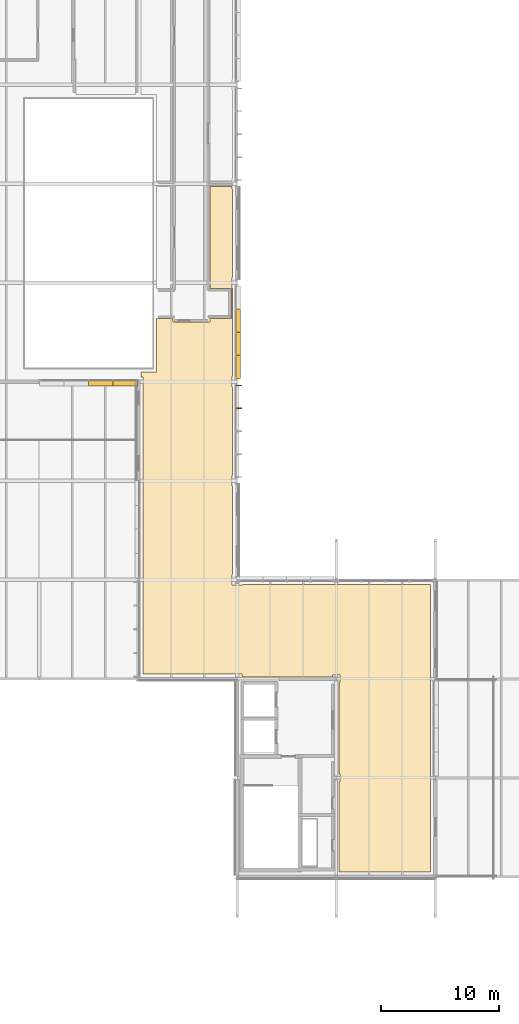
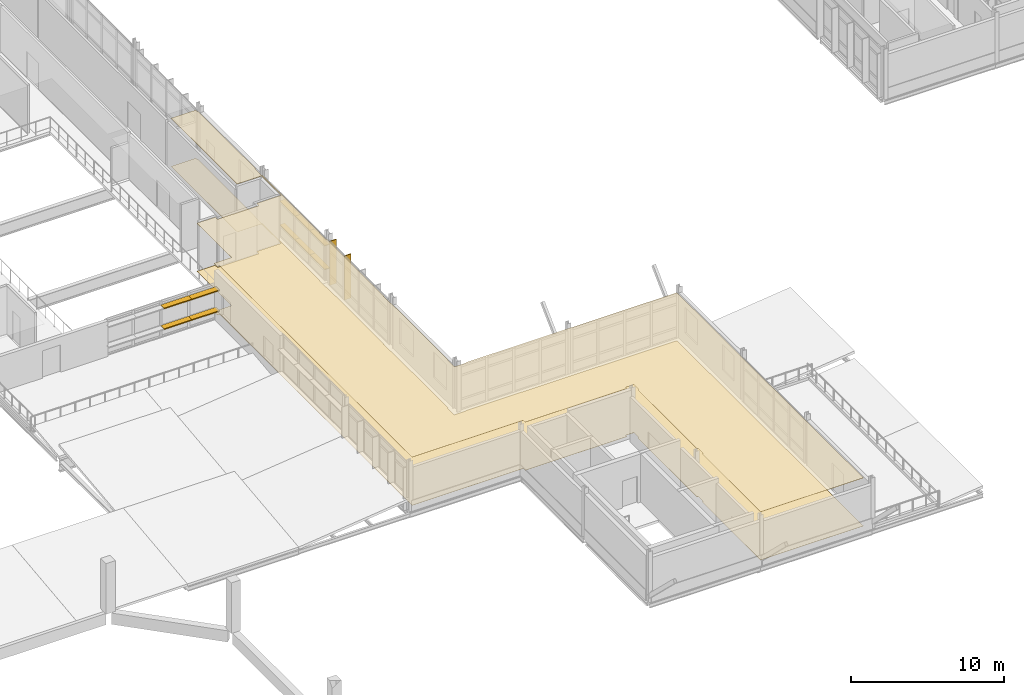
# One storey, part 118 of 131: 12 shading devices, 2 coverings.
"""IFC4 building model written with IfcOpenShell, lengths in metres."""

from ifc_helpers import new_model, si_unit, direction, frame, origin, origin_2d, place, context, subcontext, project, spatial, polyline, rectangle, outline, extrude, material, layer, layer_set, type_object, element, save


model = new_model("IFC4")

# Units and contexts
model_context = context("Model", 3, precision=1e-05, world=origin(), true_north=direction((0.0, 1.0)))
body_context = subcontext(model_context, "Body", "Model", "MODEL_VIEW")
ifc_project = project(units=[si_unit("LENGTHUNIT", "METRE"), si_unit("AREAUNIT", "SQUARE_METRE"), si_unit("VOLUMEUNIT", "CUBIC_METRE"), si_unit("PLANEANGLEUNIT", "RADIAN"), si_unit("MASSUNIT", "GRAM", prefix="KILO")], contexts=[model_context])

# Site, building, storey
site_placement = place(None, origin())
site = spatial("IfcSite", under=ifc_project, at=site_placement, CompositionType="ELEMENT")
building_placement = place(site_placement, origin())
building = spatial("IfcBuilding", under=site, at=building_placement, Name="Mersafa Astral City Hall", CompositionType="ELEMENT")
storey_placement = place(building_placement, frame((0.0, 0.0, 13.949951171875)))
storey = spatial("IfcBuildingStorey", under=building, at=storey_placement, Name="L03", CompositionType="ELEMENT", Elevation=13.949951171875)

# Shading devices
ifc_material_1 = material(Name="Anodised bronze aluminium solar fin", Category="aluminium")
shading_device_type_1 = type_object("IfcShadingDeviceType", Name="ENV-SHD-FIN-500A", PredefinedType="USERDEFINED", material=ifc_material_1)
for number, where, z_axis, x_axis, name in (
    (1, (117.7451171875, 48.156494140625, -0.01513671875), (0.0, 0.0, 1.0), (0.0, 1.0, 0.0), "L03 Vertical bronze solar fin 971"),
    (2, (117.7451171875, 50.0830078125, -0.01513671875), (0.0, 0.0, 1.0), (0.0, 1.0, 0.0), "L03 Vertical bronze solar fin 972"),
):
    element("IfcShadingDevice", number, at=place(storey_placement, frame(where, z_axis=z_axis, x_axis=x_axis)), inside=storey, type_object=shading_device_type_1, Name=name, ObjectType="FIN", PredefinedType="USERDEFINED", context=body_context, shape_type="SweptSolid", body=[
        extrude(rectangle(XDim=0.06005859375, YDim=0.5, at=origin_2d()), origin(), (0.0, 0.0, 1.0), 3.511962890625),
    ])
ifc_material_2 = material(Name="Kiln-dried cedar timber brise-soleil blade", Category="wood")
shading_device_type_2 = type_object("IfcShadingDeviceType", Name="ENV-SHD-LOUVRE-380", PredefinedType="JALOUSIE", material=ifc_material_2)
shading_device_1_placement = place(storey_placement, frame((117.679931640625, 51.680419921875, 0.81494140625), z_axis=(0.0, 0.0, 1.0), x_axis=(0.0, 1.0, 0.0)))
element("IfcShadingDevice", 3, at=shading_device_1_placement, inside=storey, type_object=shading_device_type_2, Name="L03 Horizontal cedar brise-soleil louvre 973", PredefinedType="JALOUSIE", context=body_context, shape_type="SweptSolid", body=[
    extrude(rectangle(XDim=1.966552734375, YDim=0.3798828125, at=origin_2d()), origin(), (0.0, 0.0, 1.0), 0.070068359375),
])
for number, where, z_axis, x_axis, name in (
    (4, (117.679931640625, 53.62158203125, 0.81494140625), (0.0, 0.0, 1.0), (0.0, 1.0, 0.0), "L03 Horizontal cedar brise-soleil louvre 974"),
    (5, (117.679931640625, 55.578125, 0.81494140625), (0.0, 0.0, 1.0), (0.0, 1.0, 0.0), "L03 Horizontal cedar brise-soleil louvre 975"),
):
    element("IfcShadingDevice", number, at=place(storey_placement, frame(where, z_axis=z_axis, x_axis=x_axis)), inside=storey, type_object=shading_device_type_2, Name=name, PredefinedType="JALOUSIE", context=body_context, shape_type="SweptSolid", body=[
        extrude(rectangle(XDim=1.99658203125, YDim=0.3798828125, at=origin_2d()), origin(), (0.0, 0.0, 1.0), 0.070068359375),
    ])
shading_device_2_placement = place(storey_placement, frame((117.679931640625, 51.680419921875, 2.71484375), z_axis=(0.0, 0.0, 1.0), x_axis=(0.0, 1.0, 0.0)))
element("IfcShadingDevice", 6, at=shading_device_2_placement, inside=storey, type_object=shading_device_type_2, Name="L03 Horizontal cedar brise-soleil louvre 977", PredefinedType="JALOUSIE", context=body_context, shape_type="SweptSolid", body=[
    extrude(rectangle(XDim=1.966552734375, YDim=0.3798828125, at=origin_2d()), origin(), (0.0, 0.0, 1.0), 0.070068359375),
])
for number, where, z_axis, x_axis, name in (
    (7, (117.679931640625, 53.62158203125, 2.71484375), (0.0, 0.0, 1.0), (0.0, 1.0, 0.0), "L03 Horizontal cedar brise-soleil louvre 978"),
    (8, (117.679931640625, 55.578125, 2.71484375), (0.0, 0.0, 1.0), (0.0, 1.0, 0.0), "L03 Horizontal cedar brise-soleil louvre 979"),
):
    element("IfcShadingDevice", number, at=place(storey_placement, frame(where, z_axis=z_axis, x_axis=x_axis)), inside=storey, type_object=shading_device_type_2, Name=name, PredefinedType="JALOUSIE", context=body_context, shape_type="SweptSolid", body=[
        extrude(rectangle(XDim=1.99658203125, YDim=0.3798828125, at=origin_2d()), origin(), (0.0, 0.0, 1.0), 0.070068359375),
    ])
shading_device_type_3 = type_object("IfcShadingDeviceType", Name="ENV-SHD-LOUVRE-450", PredefinedType="JALOUSIE", material=ifc_material_2)
shading_device_3_placement = place(storey_placement, frame((106.050048828125, 50.284912109375, 0.81005859375), z_axis=(0.0, 0.0, 1.0), x_axis=(1.0, 0.0, 0.0)))
element("IfcShadingDevice", 9, at=shading_device_3_placement, inside=storey, type_object=shading_device_type_3, Name="L03 Horizontal cedar brise-soleil louvre 1196", PredefinedType="JALOUSIE", context=body_context, shape_type="SweptSolid", body=[
    extrude(rectangle(XDim=2.139892578125, YDim=0.449951171875, at=origin_2d()), origin(), (0.0, 0.0, 1.0), 0.080078125),
])
shading_device_4_placement = place(storey_placement, frame((108.135009765625, 50.284912109375, 0.81005859375), z_axis=(0.0, 0.0, 1.0), x_axis=(1.0, 0.0, 0.0)))
element("IfcShadingDevice", 10, at=shading_device_4_placement, inside=storey, type_object=shading_device_type_3, Name="L03 Horizontal cedar brise-soleil louvre 1197", PredefinedType="JALOUSIE", context=body_context, shape_type="SweptSolid", body=[
    extrude(rectangle(XDim=2.110107421875, YDim=0.449951171875, at=origin_2d()), origin(), (0.0, 0.0, 1.0), 0.080078125),
])
shading_device_5_placement = place(storey_placement, frame((106.050048828125, 50.284912109375, 2.45703125), z_axis=(0.0, 0.0, 1.0), x_axis=(1.0, 0.0, 0.0)))
element("IfcShadingDevice", 11, at=shading_device_5_placement, inside=storey, type_object=shading_device_type_3, Name="L03 Horizontal cedar brise-soleil louvre 1200", PredefinedType="JALOUSIE", context=body_context, shape_type="SweptSolid", body=[
    extrude(rectangle(XDim=2.139892578125, YDim=0.449951171875, at=origin_2d()), origin(), (0.0, 0.0, 1.0), 0.080078125),
])
shading_device_6_placement = place(storey_placement, frame((108.135009765625, 50.284912109375, 2.45703125), z_axis=(0.0, 0.0, 1.0), x_axis=(1.0, 0.0, 0.0)))
element("IfcShadingDevice", 12, at=shading_device_6_placement, inside=storey, type_object=shading_device_type_3, Name="L03 Horizontal cedar brise-soleil louvre 1201", PredefinedType="JALOUSIE", context=body_context, shape_type="SweptSolid", body=[
    extrude(rectangle(XDim=2.110107421875, YDim=0.449951171875, at=origin_2d()), origin(), (0.0, 0.0, 1.0), 0.080078125),
])

# Coverings
ifc_material_3 = material(Name="Perforated acoustic gypsum board ceiling", Category="gypsum")
ifc_layer_1 = layer(ifc_material_3, 0.02490234375, Name="Perforated acoustic gypsum board ceiling")
ifc_layer_set_1 = layer_set([ifc_layer_1], Name="Perforated acoustic gypsum board ceiling — INT-COV-CEIL-25")
covering_type_1 = type_object("IfcCoveringType", Name="INT-COV-CEIL-25", PredefinedType="CEILING", material=ifc_layer_set_1)
covering_1_placement = place(storey_placement, frame((0.0, 0.0, 3.8310546875)))
element("IfcCovering", 13, at=covering_1_placement, inside=storey, type_object=covering_type_1, Name="L03 Building Permits Technical Office L03-08 acoustic ceiling", PredefinedType="CEILING", context=body_context, shape_type="SweptSolid", body=[
    extrude(outline(polyline([(117.155029296875, 34.044921875), (117.155029296875, 33.155029296875), (118.044921875, 33.155029296875), (118.044921875, 33.199951171875), (134.0, 33.199951171875), (134.0, 8.800048828125), (126.22998046875, 8.800048828125), (126.22998046875, 16.47998046875), (126.320068359375, 16.47998046875), (126.320068359375, 17.1201171875), (126.22998046875, 17.1201171875), (126.22998046875, 24.8798828125), (126.320068359375, 24.8798828125), (126.320068359375, 25.52001953125), (125.679931640625, 25.52001953125), (125.679931640625, 25.360107421875), (118.0, 25.360107421875), (118.0, 25.60009765625), (109.60009765625, 25.60009765625), (109.60009765625, 50.800048828125), (109.429931640625, 50.800048828125), (109.429931640625, 51.239990234375), (110.760009765625, 51.239990234375), (110.760009765625, 55.760009765625), (112.139892578125, 55.760009765625), (112.139892578125, 55.469970703125), (115.280029296875, 55.469970703125), (115.280029296875, 55.760009765625), (117.1201171875, 55.760009765625), (117.1201171875, 58.320068359375), (115.280029296875, 58.320068359375), (115.280029296875, 66.969970703125), (117.155029296875, 66.969970703125), (117.155029296875, 66.7548828125), (117.199951171875, 66.7548828125), (117.199951171875, 59.2451171875), (117.155029296875, 59.2451171875), (117.155029296875, 58.35498046875), (117.199951171875, 58.35498046875), (117.199951171875, 50.844970703125), (117.155029296875, 50.844970703125), (117.155029296875, 49.955078125), (117.199951171875, 49.955078125), (117.199951171875, 42.445068359375), (117.155029296875, 42.445068359375), (117.155029296875, 41.554931640625), (117.199951171875, 41.554931640625), (117.199951171875, 34.044921875), (117.155029296875, 34.044921875)])), origin(), (0.0, 0.0, 1.0), 0.02490234375),
])
ifc_material_4 = material(Name="Heavy-duty woven acoustic carpet tile", Category="finish")
ifc_layer_2 = layer(ifc_material_4, 0.014892578125, Name="Heavy-duty woven acoustic carpet tile")
ifc_layer_set_2 = layer_set([ifc_layer_2], Name="Heavy-duty woven acoustic carpet tile — INT-COV-FLR-15")
covering_type_2 = type_object("IfcCoveringType", Name="INT-COV-FLR-15", PredefinedType="FLOORING", material=ifc_layer_set_2)
covering_2_placement = place(storey_placement, frame((0.0, 0.0, -0.00146484375)))
element("IfcCovering", 14, at=covering_2_placement, inside=storey, type_object=covering_type_2, Name="L03 Building Permits Technical Office L03-08 architectural flooring", PredefinedType="FLOORING", context=body_context, shape_type="SweptSolid", body=[
    extrude(outline(polyline([(117.155029296875, 34.044921875), (117.155029296875, 33.155029296875), (118.044921875, 33.155029296875), (118.044921875, 33.199951171875), (134.0, 33.199951171875), (134.0, 8.800048828125), (126.22998046875, 8.800048828125), (126.22998046875, 16.47998046875), (126.320068359375, 16.47998046875), (126.320068359375, 17.1201171875), (126.22998046875, 17.1201171875), (126.22998046875, 24.8798828125), (126.320068359375, 24.8798828125), (126.320068359375, 25.52001953125), (125.679931640625, 25.52001953125), (125.679931640625, 25.360107421875), (118.0, 25.360107421875), (118.0, 25.60009765625), (109.60009765625, 25.60009765625), (109.60009765625, 50.800048828125), (109.429931640625, 50.800048828125), (109.429931640625, 51.239990234375), (110.760009765625, 51.239990234375), (110.760009765625, 55.760009765625), (112.139892578125, 55.760009765625), (112.139892578125, 55.469970703125), (115.280029296875, 55.469970703125), (115.280029296875, 55.760009765625), (117.1201171875, 55.760009765625), (117.1201171875, 58.320068359375), (115.280029296875, 58.320068359375), (115.280029296875, 66.969970703125), (117.155029296875, 66.969970703125), (117.155029296875, 66.7548828125), (117.199951171875, 66.7548828125), (117.199951171875, 59.2451171875), (117.155029296875, 59.2451171875), (117.155029296875, 58.35498046875), (117.199951171875, 58.35498046875), (117.199951171875, 50.844970703125), (117.155029296875, 50.844970703125), (117.155029296875, 49.955078125), (117.199951171875, 49.955078125), (117.199951171875, 42.445068359375), (117.155029296875, 42.445068359375), (117.155029296875, 41.554931640625), (117.199951171875, 41.554931640625), (117.199951171875, 34.044921875), (117.155029296875, 34.044921875)])), origin(), (0.0, 0.0, 1.0), 0.014892578125),
])

save(model, "model.ifc")
